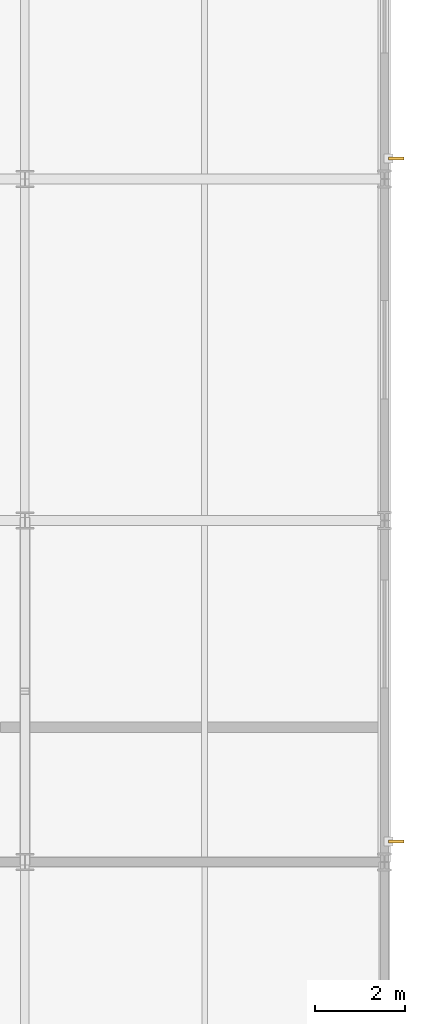
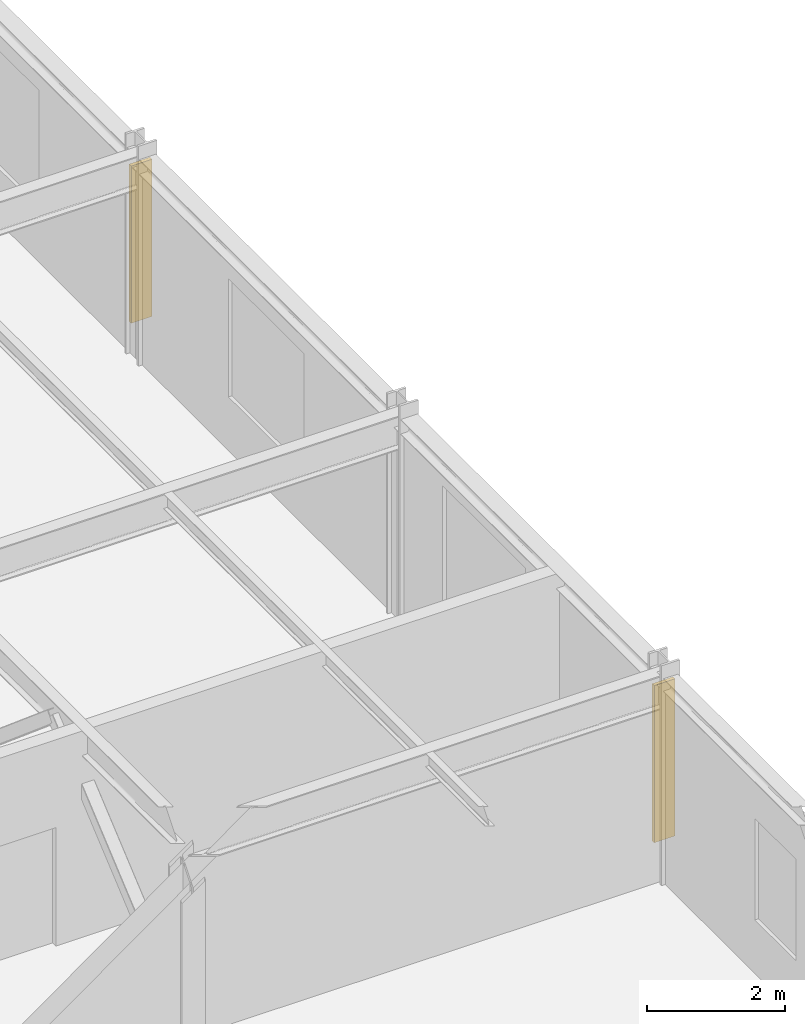
# One storey, part 16 of 18: 2 shading devices.
"""IFC4 building model written with IfcOpenShell, lengths in metres."""

from ifc_helpers import new_model, si_unit, direction, frame, origin, origin_2d, place, context, subcontext, project, spatial, rectangle, extrude, material, layer, layer_set, type_object, element, save


model = new_model("IFC4")

# Units and contexts
model_context = context("Model", 3, precision=1e-05, world=origin(), true_north=direction((0.0, 1.0)))
body_context = subcontext(model_context, "Body", "Model", "MODEL_VIEW")
ifc_project = project(units=[si_unit("LENGTHUNIT", "METRE"), si_unit("AREAUNIT", "SQUARE_METRE"), si_unit("VOLUMEUNIT", "CUBIC_METRE"), si_unit("PLANEANGLEUNIT", "RADIAN"), si_unit("MASSUNIT", "GRAM", prefix="KILO")], contexts=[model_context])

# Site, building, storey
site_placement = place(None, origin())
site = spatial("IfcSite", under=ifc_project, at=site_placement, CompositionType="ELEMENT")
building_placement = place(site_placement, origin())
building = spatial("IfcBuilding", under=site, at=building_placement, Name="Shalkamar Park Central Library", CompositionType="ELEMENT")
storey_placement = place(building_placement, frame((0.0, 0.0, 24.300048828125)))
storey = spatial("IfcBuildingStorey", under=building, at=storey_placement, Name="L06", CompositionType="ELEMENT", Elevation=24.300048828125)

# Shading devices
ifc_material = material(Name="Anodized bronze aluminium solar fin", Category="aluminium")
ifc_layer = layer(ifc_material, 0.06005859375)
ifc_layer_set = layer_set([ifc_layer], Name="BronzeSolarLouvreBlade")
shading_device_type = type_object("IfcShadingDeviceType", Name="Bronze Solar Louvre Blade", PredefinedType="SHUTTER", material=ifc_layer_set)
for number, where, z_axis, x_axis, name in (
    (1, (221.260009765625, 255.656005859375, 0.2998046875), (0.0, 0.0, 1.0), (1.0, 0.0, 0.0), "Vertical Solar Fin L06-010"),
    (2, (221.260009765625, 270.85595703125, 0.2998046875), (0.0, 0.0, 1.0), (1.0, 0.0, 0.0), "Vertical Solar Fin L06-011"),
):
    element("IfcShadingDevice", number, at=place(storey_placement, frame(where, z_axis=z_axis, x_axis=x_axis)), inside=storey, type_object=shading_device_type, Name=name, PredefinedType="SHUTTER", context=body_context, shape_type="SweptSolid", body=[
        extrude(rectangle(XDim=0.35009765625, YDim=0.06005859375, at=origin_2d()), origin(), (0.0, 0.0, 1.0), 2.7880859375),
    ])

save(model, "model.ifc")
